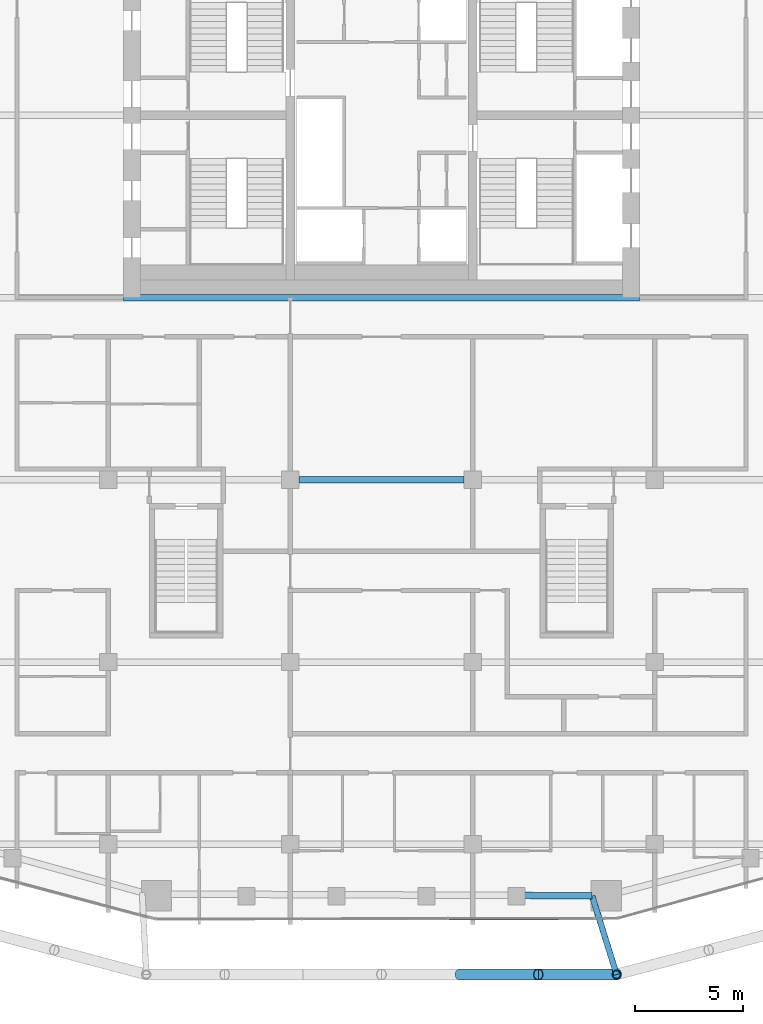
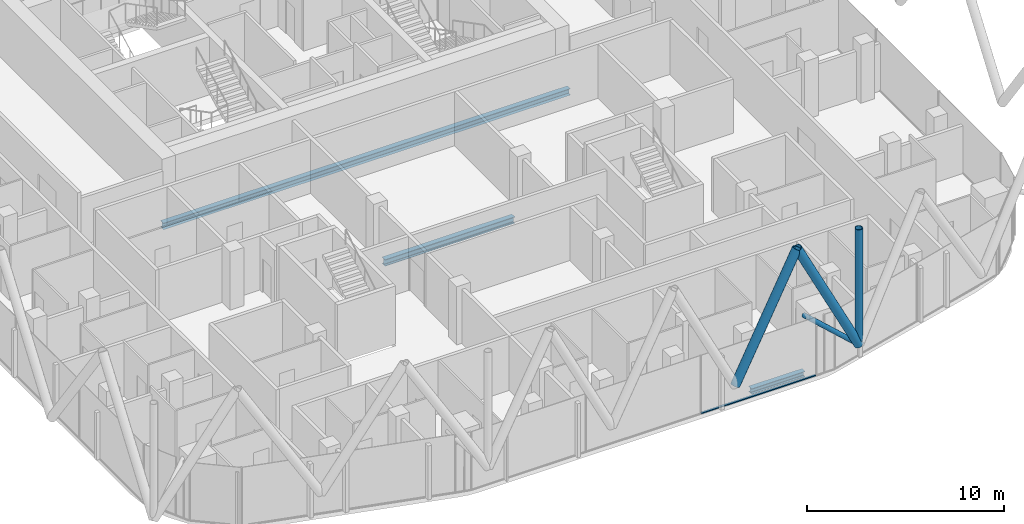
# One storey, part 5 of 28: 5 members, 3 beams, 1 element without a shape of its own.
"""IFC4 building model written with IfcOpenShell, lengths in metres."""

import ifcopenshell
import ifcopenshell.guid

model = None  # the IFC model being written
_history = None  # IfcOwnerHistory: only IFC2X3 demands one
_inside = {}  # id of a spatial element -> (the spatial element, [elements in it])
_under = {}  # id of a project, library or spatial element -> (it, [spatial elements below it])
_declared = {}  # id of a project -> (the project, [libraries it declares])
_typed = {}  # id of a type object -> (the type object, [elements of that type])
_made_of = {}  # id of a material, layer set ... -> (it, [elements and type objects made of it])


def new_model(schema):
    """Start an empty IFC model of exactly this schema.

    Asked for "IFC4X3", IfcOpenShell would pick the latest addendum, in which some entities
    have other attributes; the version numbers below select the first issue.
    IFC2X3 requires an IfcOwnerHistory on every rooted entity: one is made here for all.
    """
    global model, _history
    if schema == "IFC4X3":
        model = ifcopenshell.file(schema_version=(4, 3, 0, 0))
    else:
        model = ifcopenshell.file(schema=schema)
    _inside.clear()
    _under.clear()
    _declared.clear()
    _typed.clear()
    _made_of.clear()
    _history = None
    if model.schema == "IFC2X3":
        org = make("IfcOrganization", Name="unknown")
        user = make(
            "IfcPersonAndOrganization",
            ThePerson=make("IfcPerson", FamilyName="unknown"),
            TheOrganization=org,
        )
        app = make(
            "IfcApplication",
            ApplicationDeveloper=org,
            Version="unknown",
            ApplicationFullName="unknown",
            ApplicationIdentifier="unknown",
        )
        _history = make(
            "IfcOwnerHistory",
            OwningUser=user,
            OwningApplication=app,
            ChangeAction="ADDED",
            CreationDate=0,
        )
    return model


def make(cls, **values):
    """One entity of the class cls with the attributes given. An attribute that is None is left unset."""
    return model.create_entity(
        cls, **{name: value for name, value in values.items() if value is not None}
    )


def rooted(cls, **values):
    """An entity with a GlobalId (a new one), such as an element, a storey or a relation."""
    return make(cls, GlobalId=ifcopenshell.guid.new(), OwnerHistory=_history, **values)


def si_unit(unit_type, name, prefix=None):
    """IfcSIUnit, for example si_unit("LENGTHUNIT", "METRE", prefix="MILLI")."""
    return make("IfcSIUnit", UnitType=unit_type, Prefix=prefix, Name=name)


def assignment(units):
    """IfcUnitAssignment: the units of a project."""
    return None if units is None else make("IfcUnitAssignment", Units=units)


def point(xyz):
    """IfcCartesianPoint."""
    return None if xyz is None else make("IfcCartesianPoint", Coordinates=xyz)


def direction(xyz):
    """IfcDirection."""
    return None if xyz is None else make("IfcDirection", DirectionRatios=xyz)


def frame(location, z_axis=None, x_axis=None):
    """IfcAxis2Placement3D, a coordinate frame: its origin and axes. An axis left out is left unset."""
    return make(
        "IfcAxis2Placement3D",
        Location=point(location),
        Axis=direction(z_axis),
        RefDirection=direction(x_axis),
    )


def frame_2d(location, x_axis=None):
    """IfcAxis2Placement2D, a coordinate frame in the plane: its origin and x axis."""
    return make(
        "IfcAxis2Placement2D", Location=point(location), RefDirection=direction(x_axis)
    )


def origin():
    """The frame at (0, 0, 0) with its axes left unset."""
    return frame((0.0, 0.0, 0.0))


def origin_2d():
    """The frame at (0, 0) in the plane with its x axis left unset."""
    return frame_2d((0.0, 0.0))


def place(relative_to, where):
    """IfcLocalPlacement: puts the frame where relative to a parent placement (None: the world)."""
    return make(
        "IfcLocalPlacement", PlacementRelTo=relative_to, RelativePlacement=where
    )


def context(
    kind, dimensions, precision=None, world=None, true_north=None, identifier=None
):
    """IfcGeometricRepresentationContext, for example the 3D "Model" context."""
    return make(
        "IfcGeometricRepresentationContext",
        ContextIdentifier=identifier,
        ContextType=kind,
        CoordinateSpaceDimension=dimensions,
        Precision=precision,
        WorldCoordinateSystem=world,
        TrueNorth=true_north,
    )


def subcontext(parent, identifier, kind, view, scale=None):
    """IfcGeometricRepresentationSubContext, for example "Body" below "Model"."""
    return make(
        "IfcGeometricRepresentationSubContext",
        ContextIdentifier=identifier,
        ContextType=kind,
        ParentContext=parent,
        TargetScale=scale,
        TargetView=view,
    )


def project(units=None, contexts=None):
    """IfcProject with its units and contexts."""
    return rooted(
        "IfcProject",
        Name="project",
        RepresentationContexts=contexts,
        UnitsInContext=assignment(units),
    )


def spatial(cls, under=None, at=None, **own):
    """A site, building, storey or space (cls), placed at a placement, below another one or the project."""
    s = rooted(cls, ObjectPlacement=at, **own)
    if under is not None:
        _under.setdefault(under.id(), (under, []))[1].append(s)
    return s


def profile(cls, at=None, kind="AREA", **sizes):
    """A parametric profile (cls). Its sizes go by their IFC names, for example OverallWidth=200.0."""
    return make(cls, ProfileType=kind, Position=at, **sizes)


def rectangle(**sizes):
    """IfcRectangleProfileDef."""
    return profile("IfcRectangleProfileDef", **sizes)


def hollow_circle(**sizes):
    """IfcCircleHollowProfileDef."""
    return profile("IfcCircleHollowProfileDef", **sizes)


def i_section(**sizes):
    """IfcIShapeProfileDef."""
    return profile("IfcIShapeProfileDef", **sizes)


def extrude(swept, where, along, depth):
    """IfcExtrudedAreaSolid: the profile swept, set in the frame where, extruded along a direction by depth."""
    return make(
        "IfcExtrudedAreaSolid",
        SweptArea=swept,
        Position=where,
        ExtrudedDirection=direction(along),
        Depth=depth,
    )


def shape(context_of_items, identifier, shape_type, items):
    """IfcShapeRepresentation: the items that make up one representation, for example the "Body"."""
    return make(
        "IfcShapeRepresentation",
        ContextOfItems=context_of_items,
        RepresentationIdentifier=identifier,
        RepresentationType=shape_type,
        Items=items,
    )


def material(Name=None, Category=None):
    """IfcMaterial."""
    return make("IfcMaterial", Name=Name, Category=Category)


def layer(
    of_material, thickness, ventilated=None, Name=None, Category=None, Priority=None
):
    """IfcMaterialLayer: one layer of a wall or slab, of a material (None: an air gap)."""
    return make(
        "IfcMaterialLayer",
        Material=of_material,
        LayerThickness=thickness,
        IsVentilated=ventilated,
        Name=Name,
        Category=Category,
        Priority=Priority,
    )


def layer_set(layers, Name=None):
    """IfcMaterialLayerSet."""
    return make("IfcMaterialLayerSet", MaterialLayers=layers, LayerSetName=Name)


def material_profile(
    of_material, cross_section, Name=None, Category=None, Priority=None
):
    """IfcMaterialProfile: a cross section and its material."""
    return make(
        "IfcMaterialProfile",
        Name=Name,
        Material=of_material,
        Profile=cross_section,
        Priority=Priority,
        Category=Category,
    )


def profile_set(profiles, Name=None, composite=None):
    """IfcMaterialProfileSet."""
    return make(
        "IfcMaterialProfileSet",
        Name=Name,
        MaterialProfiles=profiles,
        CompositeProfile=composite,
    )


def made_of(thing, what):
    """Note that an element or type object is made of a material, layer set ...; save() writes the relation."""
    if what is not None:
        _made_of.setdefault(what.id(), (what, []))[1].append(thing)
    return thing


def type_object(cls, material=None, **own):
    """A type object (cls), such as IfcWallType, which elements share."""
    return made_of(rooted(cls, **own), material)


def element(
    cls,
    number,
    at=None,
    inside=None,
    cuts=None,
    type_object=None,
    material=None,
    context=None,
    identifier="Body",
    shape_type=None,
    held_by="IfcProductDefinitionShape",
    body=None,
    shapes=None,
    **own,
):
    """One element of the class cls, such as IfcWall. Its Tag is "e" and its number.

    at: its placement. inside: the storey or other place that contains it. cuts: it is an
    opening in that element (IfcRelVoidsElement). A single representation is given by context,
    identifier, shape_type and body (its items); several are given by shapes. held_by: the class
    of the entity that holds the representations. save() writes the other relations.
    """
    e = rooted(cls, Tag="e%d" % number, ObjectPlacement=at, **own)
    if body is not None:
        shapes = [shape(context, identifier, shape_type, body)]
    if shapes is not None:
        e.Representation = make(held_by, Representations=shapes)
    if inside is not None:
        _inside.setdefault(inside.id(), (inside, []))[1].append(e)
    if cuts is not None:
        rooted(
            "IfcRelVoidsElement", RelatingBuildingElement=cuts, RelatedOpeningElement=e
        )
    if type_object is not None:
        _typed.setdefault(type_object.id(), (type_object, []))[1].append(e)
    return made_of(e, material)


def aggregate(whole, parts):
    """IfcRelAggregates: a whole, such as a stair, and the parts it consists of."""
    return rooted("IfcRelAggregates", RelatingObject=whole, RelatedObjects=parts)


def save(model, path):
    """Write the relations noted so far, then the file.

    IfcRelAggregates (storeys below a building ...), IfcRelContainedInSpatialStructure (elements
    in a storey), IfcRelDefinesByType, IfcRelAssociatesMaterial and IfcRelDeclares: one each for
    every whole, place, type object, material and project.
    """
    for whole, parts in _under.values():
        aggregate(whole, parts)
    for where, things in _inside.values():
        rooted(
            "IfcRelContainedInSpatialStructure",
            RelatedElements=things,
            RelatingStructure=where,
        )
    for kind, things in _typed.values():
        rooted("IfcRelDefinesByType", RelatedObjects=things, RelatingType=kind)
    for what, things in _made_of.values():
        rooted("IfcRelAssociatesMaterial", RelatedObjects=things, RelatingMaterial=what)
    for by, libraries in _declared.values():
        rooted("IfcRelDeclares", RelatingContext=by, RelatedDefinitions=libraries)
    model.write(path)


model = new_model("IFC4")

# Units and contexts
model_context = context("Model", 3, precision=1e-05, world=origin(), true_north=direction((0.0, 1.0)))
body_context = subcontext(model_context, "Body", "Model", "MODEL_VIEW")
ifc_project = project(units=[si_unit("LENGTHUNIT", "METRE"), si_unit("AREAUNIT", "SQUARE_METRE"), si_unit("VOLUMEUNIT", "CUBIC_METRE"), si_unit("PLANEANGLEUNIT", "RADIAN"), si_unit("MASSUNIT", "GRAM", prefix="KILO")], contexts=[model_context])

# Site, building, storey
site_placement = place(None, origin())
site = spatial("IfcSite", under=ifc_project, at=site_placement, CompositionType="ELEMENT")
building_placement = place(site_placement, origin())
building = spatial("IfcBuilding", under=site, at=building_placement, Name="Marenta Gate Hotel Tower", CompositionType="ELEMENT")
storey_placement = place(building_placement, frame((0.0, 0.0, 198.5)))
storey = spatial("IfcBuildingStorey", under=building, at=storey_placement, Name="L45", CompositionType="ELEMENT", Elevation=198.5)

# Members
ifc_material_1 = material(Name="Steel S355J2W", Category="steel")
ifc_material_profile_1 = material_profile(ifc_material_1, hollow_circle(Radius=0.203125, WallThickness=0.02490234375, at=origin_2d()), Name="CHS 406.4x25")
ifc_profile_set_1 = profile_set([ifc_material_profile_1], Name="Steel S355J2W")
member_type_1 = type_object("IfcMemberType", Name="Diagrid corner post Z3 CHS 406.4x25", PredefinedType="POST", material=ifc_profile_set_1)
member_1_placement = place(storey_placement, frame((10.839111328125, -31.199951171875, 3.139892578125), z_axis=(0.0, 0.0, 1.0), x_axis=(1.0, 0.0, 0.0)))
element("IfcMember", 1, at=member_1_placement, inside=storey, type_object=member_type_1, Name="L45-DR-3", PredefinedType="POST", context=body_context, shape_type="SweptSolid", body=[
    extrude(hollow_circle(Radius=0.203125, WallThickness=0.02490234375, at=origin_2d()), origin(), (0.0, 0.0, 1.0), 7.2001953125),
])
ifc_material_2 = material(Name="Steel S355J2W", Category="steel")
ifc_material_profile_2 = material_profile(ifc_material_2, hollow_circle(Radius=0.25390625, WallThickness=0.02490234375, at=origin_2d()), Name="CHS 508x25")
ifc_profile_set_2 = profile_set([ifc_material_profile_2], Name="Steel S355J2W")
member_type_2 = type_object("IfcMemberType", Name="Diagrid diagonal Z3 CHS 508x25", PredefinedType="BRACE", material=ifc_profile_set_2)
for number, where, z_axis, x_axis, name in (
    (2, (10.839111328125, -31.199951171875, 3.139892578125), (-0.44849810728, 0.0, 0.893783781329), (0.0, -1.0, 0.0), "L45-DG-15"),
    (3, (3.613037109375, -31.199951171875, 3.139892578125), (0.44849810728, 0.0, 0.893783781329), (0.0, 1.0, 0.0), "L45-DG-16"),
):
    element("IfcMember", number, at=place(storey_placement, frame(where, z_axis=z_axis, x_axis=x_axis)), inside=storey, type_object=member_type_2, Name=name, PredefinedType="BRACE", context=body_context, shape_type="SweptSolid", body=[
        extrude(hollow_circle(Radius=0.25390625, WallThickness=0.02490234375, at=origin_2d()), origin(), (0.0, 0.0, 1.0), 8.055908203125),
    ])

# Beam
ifc_material_3 = material(Name="Steel S355", Category="steel")
ifc_material_profile_3 = material_profile(ifc_material_3, i_section(OverallWidth=0.300048828125, OverallDepth=0.340087890625, WebThickness=0.011962890625, FlangeThickness=0.021484375, FilletRadius=0.027099609375, at=origin_2d()), Name="HEB 340")
ifc_profile_set_3 = profile_set([ifc_material_profile_3], Name="Steel S355")
beam_type_1 = type_object("IfcBeamType", Name="Edge beam HEB 340", PredefinedType="SPANDREL", material=ifc_profile_set_3)
beam_1_placement = place(storey_placement, frame((9.706298828125, -27.570068359375, -0.429931640625), z_axis=(-0.999992678531, 0.003826602206, 0.0), x_axis=(-0.003826602206, -0.999992678531, 0.0)))
element("IfcBeam", 4, at=beam_1_placement, inside=storey, type_object=beam_type_1, Name="L45-EB-32", PredefinedType="SPANDREL", context=body_context, shape_type="SweptSolid", body=[
    extrude(i_section(OverallWidth=0.300048828125, OverallDepth=0.340087890625, WebThickness=0.011962890625, FlangeThickness=0.021484375, FilletRadius=0.027099609375, at=origin_2d()), origin(), (0.0, 0.0, 1.0), 3.126220703125),
])

# Member
ifc_material_4 = material(Name="Steel S355J2W", Category="steel")
ifc_material_profile_4 = material_profile(ifc_material_4, hollow_circle(Radius=0.136474609375, WallThickness=0.012451171875, at=origin_2d()), Name="CHS 273x12.5")
ifc_profile_set_4 = profile_set([ifc_material_profile_4], Name="Steel S355J2W")
member_type_3 = type_object("IfcMemberType", Name="Floor tie CHS 273x12.5", PredefinedType="STRUT", material=ifc_profile_set_4)
member_2_placement = place(storey_placement, frame((10.839111328125, -31.199951171875, 3.139892578125), z_axis=(-0.297897789013, 0.954597772521, 0.0), x_axis=(-0.954597772521, -0.297897789013, 0.0)))
element("IfcMember", 5, at=member_2_placement, inside=storey, type_object=member_type_3, Name="L45-DR-9", PredefinedType="STRUT", context=body_context, shape_type="SweptSolid", body=[
    extrude(hollow_circle(Radius=0.136474609375, WallThickness=0.012451171875, at=origin_2d()), origin(), (0.0, 0.0, 1.0), 3.796142578125),
])

# Beams
ifc_material_5 = material(Name="Steel S355", Category="steel")
ifc_material_profile_5 = material_profile(ifc_material_5, i_section(OverallWidth=0.300048828125, OverallDepth=0.39990234375, WebThickness=0.013427734375, FlangeThickness=0.02392578125, FilletRadius=0.027099609375, at=origin_2d()), Name="HEB 400")
ifc_profile_set_5 = profile_set([ifc_material_profile_5], Name="Steel S355")
beam_type_2 = type_object("IfcBeamType", Name="Girder HEB 400", PredefinedType="BEAM", material=ifc_profile_set_5)
beam_2_placement = place(storey_placement, frame((-3.800048828125, -8.39990234375, -0.4599609375), z_axis=(1.0, 0.0, 0.0), x_axis=(0.0, 1.0, 0.0)))
element("IfcBeam", 6, at=beam_2_placement, inside=storey, type_object=beam_type_2, Name="L45-GD-16", PredefinedType="BEAM", context=body_context, shape_type="SweptSolid", body=[
    extrude(i_section(OverallWidth=0.300048828125, OverallDepth=0.39990234375, WebThickness=0.013427734375, FlangeThickness=0.02392578125, FilletRadius=0.027099609375, at=origin_2d()), origin(), (0.0, 0.0, 1.0), 7.60009765625),
])
beam_3_placement = place(storey_placement, frame((-11.89990234375, 0.0, -0.4599609375), z_axis=(1.0, 0.0, 0.0), x_axis=(0.0, 1.0, 0.0)))
element("IfcBeam", 7, at=beam_3_placement, inside=storey, type_object=beam_type_2, Name="L45-GD-22", PredefinedType="BEAM", context=body_context, shape_type="SweptSolid", body=[
    extrude(i_section(OverallWidth=0.300048828125, OverallDepth=0.39990234375, WebThickness=0.013427734375, FlangeThickness=0.02392578125, FilletRadius=0.027099609375, at=origin_2d()), origin(), (0.0, 0.0, 1.0), 23.7998046875),
])

# Curtain wall, member
ifc_material_6 = material(Name="Tinted insulated glass in bronze anodised frame", Category="glass")
ifc_layer = layer(ifc_material_6, 0.1201171875)
ifc_layer_set = layer_set([ifc_layer], Name="Tinted insulated glass in bronze anodised frame")
curtain_wall_type = type_object("IfcCurtainWallType", Name="Tower unitised curtain wall CW1", PredefinedType="NOTDEFINED", material=ifc_layer_set)
curtain_wall_placement = place(storey_placement, origin())
curtain_wall = element("IfcCurtainWall", 8, at=curtain_wall_placement, inside=storey, type_object=curtain_wall_type, Name="CW1 run G12", PredefinedType="NOTDEFINED")
ifc_material_7 = material(Name="Bronze anodised aluminium", Category="aluminium")
ifc_material_profile_6 = material_profile(ifc_material_7, rectangle(XDim=0.1201171875, YDim=0.06005859375, at=origin_2d()), Name="Transom CW1 60x120 bronze anodised aluminium")
ifc_profile_set_6 = profile_set([ifc_material_profile_6], Name="Bronze anodised aluminium")
member_type_4 = type_object("IfcMemberType", Name="Transom CW1 60x120 bronze anodised aluminium", PredefinedType="USERDEFINED", material=ifc_profile_set_6)
member_3_placement = place(storey_placement, frame((3.09130859375, -28.625244140625, 0.030029296875), z_axis=(0.999998657061, 0.001638864432, 0.0), x_axis=(-0.001638864432, 0.999998657061, 0.0)))
member_3 = element("IfcMember", 9, at=member_3_placement, type_object=member_type_4, Name="CW1 transom 3.1", ObjectType="TRANSOM", PredefinedType="USERDEFINED", context=body_context, shape_type="SweptSolid", body=[
    extrude(rectangle(XDim=0.1201171875, YDim=0.06005859375, at=origin_2d()), origin(), (0.0, 0.0, 1.0), 6.70361328125),
])
aggregate(curtain_wall, [member_3])

save(model, "model.ifc")
